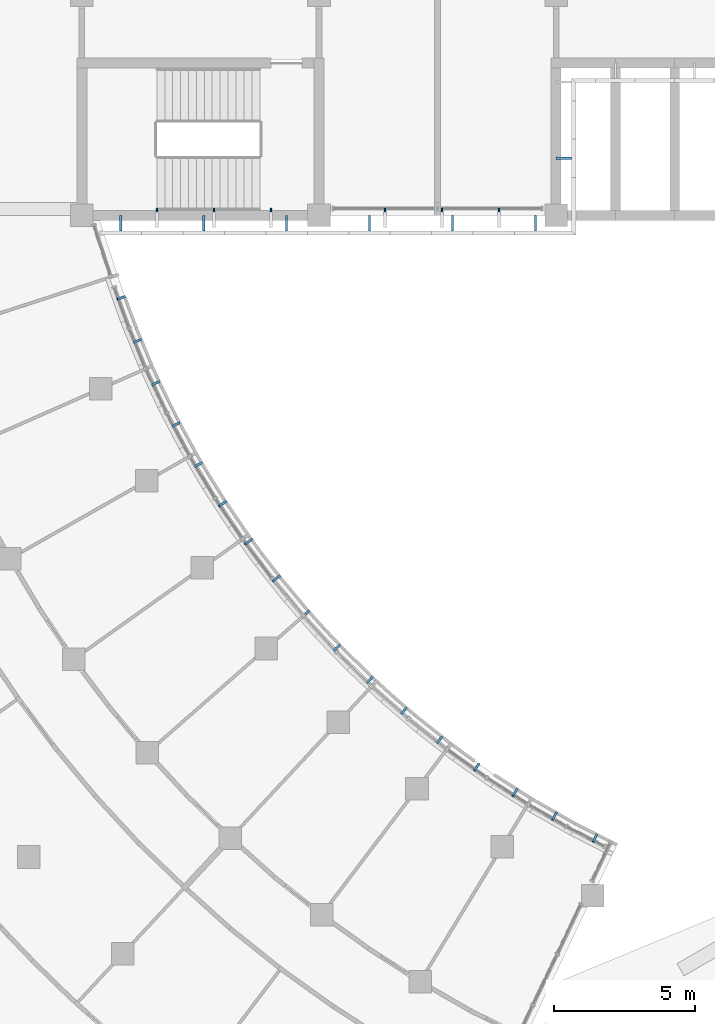
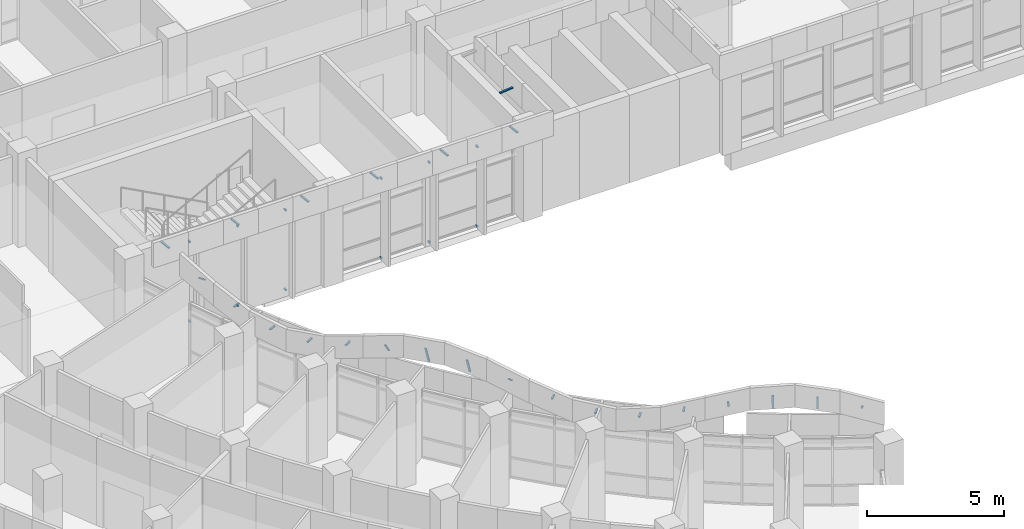
# One storey, part 97 of 137: 36 discrete accessories.
"""IFC4 building model written with IfcOpenShell, lengths in metres."""

from ifc_helpers import new_model, si_unit, direction, frame, origin, origin_2d, place, context, subcontext, project, spatial, rectangle, extrude, material, material_profile, profile_set, type_object, element, save


model = new_model("IFC4")

# Units and contexts
model_context = context("Model", 3, precision=1e-05, world=origin(), true_north=direction((0.0, 1.0)))
body_context = subcontext(model_context, "Body", "Model", "MODEL_VIEW")
ifc_project = project(units=[si_unit("LENGTHUNIT", "METRE"), si_unit("AREAUNIT", "SQUARE_METRE"), si_unit("VOLUMEUNIT", "CUBIC_METRE"), si_unit("PLANEANGLEUNIT", "RADIAN"), si_unit("MASSUNIT", "GRAM", prefix="KILO")], contexts=[model_context])

# Site, building, storey
site_placement = place(None, origin())
site = spatial("IfcSite", under=ifc_project, at=site_placement, CompositionType="ELEMENT")
building_placement = place(site_placement, origin())
building = spatial("IfcBuilding", under=site, at=building_placement, Name="Bougainvillea Quay General Hospital", CompositionType="ELEMENT")
storey_placement = place(building_placement, frame((0.0, 0.0, 16.800048828125)))
storey = spatial("IfcBuildingStorey", under=building, at=storey_placement, Name="L03", CompositionType="ELEMENT", Elevation=16.800048828125)

# Discrete accessories
ifc_material = material(Name="Stainless steel bracket, grade 316", Category="steel")
discrete_accessory_type_1 = type_object("IfcDiscreteAccessoryType", Name="Stainless steel fin arm 60x80", PredefinedType="BRACKET", material=ifc_material)
for number, where, z_axis, x_axis, name in (
    (1, (90.3798828125, 117.7900390625, 0.0), (0.0, 0.0, 1.0), (0.0, -1.0, 0.0), "Fin arm V5B L03 10.1B"),
    (2, (90.3798828125, 117.7900390625, 3.5498046875), (0.0, 0.0, 1.0), (0.0, -1.0, 0.0), "Fin arm V5B L03 10.1T"),
    (3, (88.361083984375, 117.7900390625, 0.0), (0.0, 0.0, 1.0), (0.0, -1.0, 0.0), "Fin arm V5B L03 10.2B"),
    (4, (88.361083984375, 117.7900390625, 3.5498046875), (0.0, 0.0, 1.0), (0.0, -1.0, 0.0), "Fin arm V5B L03 10.2T"),
    (5, (86.341064453125, 117.7900390625, 0.0), (0.0, 0.0, 1.0), (0.0, -1.0, 0.0), "Fin arm V5B L03 10.3B"),
    (6, (86.341064453125, 117.7900390625, 3.5498046875), (0.0, 0.0, 1.0), (0.0, -1.0, 0.0), "Fin arm V5B L03 10.3T"),
    (7, (82.302001953125, 117.7900390625, 0.0), (0.0, 0.0, 1.0), (0.0, -1.0, 0.0), "Fin arm V5B L03 10.4B"),
    (8, (82.302001953125, 117.7900390625, 3.5498046875), (0.0, 0.0, 1.0), (0.0, -1.0, 0.0), "Fin arm V5B L03 10.4T"),
    (9, (80.281982421875, 117.7900390625, 0.0), (0.0, 0.0, 1.0), (0.0, -1.0, 0.0), "Fin arm V5B L03 10.5B"),
    (10, (80.281982421875, 117.7900390625, 3.5498046875), (0.0, 0.0, 1.0), (0.0, -1.0, 0.0), "Fin arm V5B L03 10.5T"),
    (11, (78.262939453125, 117.7900390625, 0.0), (0.0, 0.0, 1.0), (0.0, -1.0, 0.0), "Fin arm V5B L03 10.6B"),
    (12, (78.262939453125, 117.7900390625, 3.5498046875), (0.0, 0.0, 1.0), (0.0, -1.0, 0.0), "Fin arm V5B L03 10.6T"),
):
    element("IfcDiscreteAccessory", number, at=place(storey_placement, frame(where, z_axis=z_axis, x_axis=x_axis)), inside=storey, type_object=discrete_accessory_type_1, Name=name, PredefinedType="BRACKET", context=body_context, shape_type="SweptSolid", body=[
        extrude(rectangle(XDim=0.1201171875, YDim=0.06005859375, at=origin_2d()), origin(), (0.0, 0.0, 1.0), 0.080078125),
    ])
ifc_material_profile = material_profile(ifc_material, rectangle(XDim=0.080078125, YDim=0.050048828125, at=origin_2d()))
ifc_profile_set = profile_set([ifc_material_profile], Name="Stainless steel bracket, grade 316")
discrete_accessory_type_2 = type_object("IfcDiscreteAccessoryType", Name="Stainless steel stand-off bracket 80x50", PredefinedType="BRACKET", material=ifc_profile_set)
discrete_accessory_1_placement = place(storey_placement, frame((93.839111328125, 95.6787109375, 4.139892578125), z_axis=(-0.32887539129, -0.649454826763, 0.685601491391), x_axis=(0.892136394732, -0.451766148792, 0.0)))
element("IfcDiscreteAccessory", 13, at=discrete_accessory_1_placement, inside=storey, type_object=discrete_accessory_type_2, Name="Fascia bracket a03 1", PredefinedType="BRACKET", context=body_context, shape_type="SweptSolid", body=[
    extrude(rectangle(XDim=0.080078125, YDim=0.050048828125, at=origin_2d()), origin(), (0.0, 0.0, 1.0), 0.412109375),
])
discrete_accessory_2_placement = place(storey_placement, frame((92.40966796875, 96.4462890625, 4.139892578125), z_axis=(-0.191387930646, -0.336741861499, 0.921941201334), x_axis=(0.869392978279, -0.494121290089, 0.0)))
element("IfcDiscreteAccessory", 14, at=discrete_accessory_2_placement, inside=storey, type_object=discrete_accessory_type_2, Name="Fascia bracket a03 2", PredefinedType="BRACKET", context=body_context, shape_type="SweptSolid", body=[
    extrude(rectangle(XDim=0.080078125, YDim=0.050048828125, at=origin_2d()), origin(), (0.0, 0.0, 1.0), 0.7744140625),
])
discrete_accessory_3_placement = place(storey_placement, frame((91.018310546875, 97.28125, 4.139892578125), z_axis=(-0.194531931784, -0.307342686745, 0.931502979287), x_axis=(0.844966227982, -0.534819664532, 0.0)))
element("IfcDiscreteAccessory", 15, at=discrete_accessory_3_placement, inside=storey, type_object=discrete_accessory_type_2, Name="Fascia bracket a03 3", PredefinedType="BRACKET", context=body_context, shape_type="SweptSolid", body=[
    extrude(rectangle(XDim=0.080078125, YDim=0.050048828125, at=origin_2d()), origin(), (0.0, 0.0, 1.0), 0.824462890625),
])
discrete_accessory_4_placement = place(storey_placement, frame((89.668701171875, 98.181640625, 4.139892578125), z_axis=(-0.338806094457, -0.482091840203, 0.807959088054), x_axis=(0.818160675661, -0.574989659734, 0.0)))
element("IfcDiscreteAccessory", 16, at=discrete_accessory_4_placement, inside=storey, type_object=discrete_accessory_type_2, Name="Fascia bracket a03 4", PredefinedType="BRACKET", context=body_context, shape_type="SweptSolid", body=[
    extrude(rectangle(XDim=0.080078125, YDim=0.050048828125, at=origin_2d()), origin(), (0.0, 0.0, 1.0), 0.509521484375),
])
for number, where, z_axis, x_axis, name in (
    (17, (88.36328125, 99.1455078125, 3.991455078125), (-0.61281314795, -0.790227844169, 0.0), (0.790227844169, -0.61281314795, 0.0), "Fascia bracket a03 5"),
    (18, (87.10546875, 100.17041015625, 3.55224609375), (-0.650054054962, -0.759887969129, 0.0), (0.759887969129, -0.650054054962, 0.0), "Fascia bracket a03 6"),
):
    element("IfcDiscreteAccessory", number, at=place(storey_placement, frame(where, z_axis=z_axis, x_axis=x_axis)), inside=storey, type_object=discrete_accessory_type_2, Name=name, PredefinedType="BRACKET", context=body_context, shape_type="SweptSolid", body=[
        extrude(rectangle(XDim=0.080078125, YDim=0.050048828125, at=origin_2d()), origin(), (0.0, 0.0, 1.0), 0.300048828125),
    ])
for number, where, z_axis, x_axis, name in (
    (19, (85.89794921875, 101.254150390625, 3.488525390625), (-0.685618651018, -0.727960895499, 0.0), (0.727960895499, -0.685618651018, 0.0), "Fascia bracket a03 7"),
    (20, (84.74365234375, 102.394287109375, 3.837158203125), (-0.719611825781, -0.694376569447, 0.0), (0.694376569447, -0.719611825781, 0.0), "Fascia bracket a03 8"),
):
    element("IfcDiscreteAccessory", number, at=place(storey_placement, frame(where, z_axis=z_axis, x_axis=x_axis)), inside=storey, type_object=discrete_accessory_type_2, Name=name, PredefinedType="BRACKET", context=body_context, shape_type="SweptSolid", body=[
        extrude(rectangle(XDim=0.080078125, YDim=0.050048828125, at=origin_2d()), origin(), (0.0, 0.0, 1.0), 0.2998046875),
    ])
discrete_accessory_5_placement = place(storey_placement, frame((83.64501953125, 103.58837890625, 4.139892578125), z_axis=(-0.571681487137, -0.501149355607, 0.649638053565), x_axis=(0.659195718475, -0.751971412186, 0.0)))
element("IfcDiscreteAccessory", 21, at=discrete_accessory_5_placement, inside=storey, type_object=discrete_accessory_type_2, Name="Fascia bracket a03 9", PredefinedType="BRACKET", context=body_context, shape_type="SweptSolid", body=[
    extrude(rectangle(XDim=0.080078125, YDim=0.050048828125, at=origin_2d()), origin(), (0.0, 0.0, 1.0), 0.39453125),
])
discrete_accessory_6_placement = place(storey_placement, frame((82.604736328125, 104.83349609375, 4.139892578125), z_axis=(-0.307762483162, -0.244738357192, 0.919448416431), x_axis=(0.622410307918, -0.78269113231, 0.0)))
element("IfcDiscreteAccessory", 22, at=discrete_accessory_6_placement, inside=storey, type_object=discrete_accessory_type_2, Name="Fascia bracket a03 10", PredefinedType="BRACKET", context=body_context, shape_type="SweptSolid", body=[
    extrude(rectangle(XDim=0.080078125, YDim=0.050048828125, at=origin_2d()), origin(), (0.0, 0.0, 1.0), 0.76318359375),
])
discrete_accessory_7_placement = place(storey_placement, frame((81.624755859375, 106.126708984375, 4.139892578125), z_axis=(-0.292933785768, -0.21095933619, 0.932569544661), x_axis=(0.584390488054, -0.81147258578, 0.0)))
element("IfcDiscreteAccessory", 23, at=discrete_accessory_7_placement, inside=storey, type_object=discrete_accessory_type_2, Name="Fascia bracket a03 11", PredefinedType="BRACKET", context=body_context, shape_type="SweptSolid", body=[
    extrude(rectangle(XDim=0.080078125, YDim=0.050048828125, at=origin_2d()), origin(), (0.0, 0.0, 1.0), 0.830810546875),
])
discrete_accessory_8_placement = place(storey_placement, frame((80.707763671875, 107.46533203125, 4.139892578125), z_axis=(-0.476571850085, -0.310003048114, 0.822664805292), x_axis=(0.545274379459, -0.838257628123, 0.0)))
element("IfcDiscreteAccessory", 24, at=discrete_accessory_8_placement, inside=storey, type_object=discrete_accessory_type_2, Name="Fascia bracket a03 12", PredefinedType="BRACKET", context=body_context, shape_type="SweptSolid", body=[
    extrude(rectangle(XDim=0.080078125, YDim=0.050048828125, at=origin_2d()), origin(), (0.0, 0.0, 1.0), 0.527587890625),
])
discrete_accessory_9_placement = place(storey_placement, frame((79.855712890625, 108.84619140625, 4.01611328125), z_axis=(-0.863187603129, -0.504883315038, 0.0), x_axis=(0.504883315038, -0.863187603129, 0.0)))
element("IfcDiscreteAccessory", 25, at=discrete_accessory_9_placement, inside=storey, type_object=discrete_accessory_type_2, Name="Fascia bracket a03 13", PredefinedType="BRACKET", context=body_context, shape_type="SweptSolid", body=[
    extrude(rectangle(XDim=0.080078125, YDim=0.050048828125, at=origin_2d()), origin(), (0.0, 0.0, 1.0), 0.2998046875),
])
for number, where, z_axis, x_axis, name in (
    (26, (79.070556640625, 110.26611328125, 3.56494140625), (-0.886308963089, -0.463094398528, 0.0), (0.463094398528, -0.886308963089, 0.0), "Fascia bracket a03 14"),
    (27, (78.35400390625, 111.7216796875, 3.48193359375), (-0.907530107889, -0.419987027507, 0.0), (0.419987027507, -0.907530107889, 0.0), "Fascia bracket a03 15"),
):
    element("IfcDiscreteAccessory", number, at=place(storey_placement, frame(where, z_axis=z_axis, x_axis=x_axis)), inside=storey, type_object=discrete_accessory_type_2, Name=name, PredefinedType="BRACKET", context=body_context, shape_type="SweptSolid", body=[
        extrude(rectangle(XDim=0.080078125, YDim=0.050048828125, at=origin_2d()), origin(), (0.0, 0.0, 1.0), 0.300048828125),
    ])
discrete_accessory_10_placement = place(storey_placement, frame((77.707763671875, 113.2099609375, 3.81494140625), z_axis=(-0.926555273516, -0.376158643554, 0.0), x_axis=(0.376158643554, -0.926555273516, 0.0)))
element("IfcDiscreteAccessory", 28, at=discrete_accessory_10_placement, inside=storey, type_object=discrete_accessory_type_2, Name="Fascia bracket a03 16", PredefinedType="BRACKET", context=body_context, shape_type="SweptSolid", body=[
    extrude(rectangle(XDim=0.080078125, YDim=0.050048828125, at=origin_2d()), origin(), (0.0, 0.0, 1.0), 0.2998046875),
])
discrete_accessory_11_placement = place(storey_placement, frame((77.13330078125, 114.7275390625, 4.139892578125), z_axis=(-0.748582283772, -0.263521632251, 0.60842494505), x_axis=(0.332053730012, -0.943260473244, 0.0)))
element("IfcDiscreteAccessory", 29, at=discrete_accessory_11_placement, inside=storey, type_object=discrete_accessory_type_2, Name="Fascia bracket a03 17", PredefinedType="BRACKET", context=body_context, shape_type="SweptSolid", body=[
    extrude(rectangle(XDim=0.080078125, YDim=0.050048828125, at=origin_2d()), origin(), (0.0, 0.0, 1.0), 0.3779296875),
])
for number, where, z_axis, x_axis, name in (
    (30, (76.977294921875, 117.60009765625, 4.139892578125), (0.0, -0.994091793559, 0.108542645901), (1.0, 0.0, 0.0), "Fascia bracket e1 1"),
    (31, (79.9150390625, 117.60009765625, 4.139892578125), (0.0, -0.994091793559, 0.108542645901), (1.0, 0.0, 0.0), "Fascia bracket e1 3"),
    (32, (82.852783203125, 117.60009765625, 4.139892578125), (0.0, -0.994091793559, 0.108542645901), (1.0, 0.0, 0.0), "Fascia bracket e1 5"),
    (33, (85.790283203125, 117.60009765625, 4.139892578125), (0.0, -0.994091793559, 0.108542645901), (1.0, 0.0, 0.0), "Fascia bracket e1 7"),
    (34, (88.72802734375, 117.60009765625, 4.139892578125), (0.0, -0.994091793559, 0.108542645901), (1.0, 0.0, 0.0), "Fascia bracket e1 9"),
    (35, (91.66552734375, 117.60009765625, 4.139892578125), (0.0, -0.994091793559, 0.108542645901), (1.0, 0.0, 0.0), "Fascia bracket e1 11"),
    (36, (92.39990234375, 119.625, 4.139892578125), (0.994091793559, 0.0, 0.108542645901), (0.0, 1.0, 0.0), "Fascia bracket e1 13"),
):
    element("IfcDiscreteAccessory", number, at=place(storey_placement, frame(where, z_axis=z_axis, x_axis=x_axis)), inside=storey, type_object=discrete_accessory_type_2, Name=name, PredefinedType="BRACKET", context=body_context, shape_type="SweptSolid", body=[
        extrude(rectangle(XDim=0.080078125, YDim=0.050048828125, at=origin_2d()), origin(), (0.0, 0.0, 1.0), 0.55322265625),
    ])

save(model, "model.ifc")
